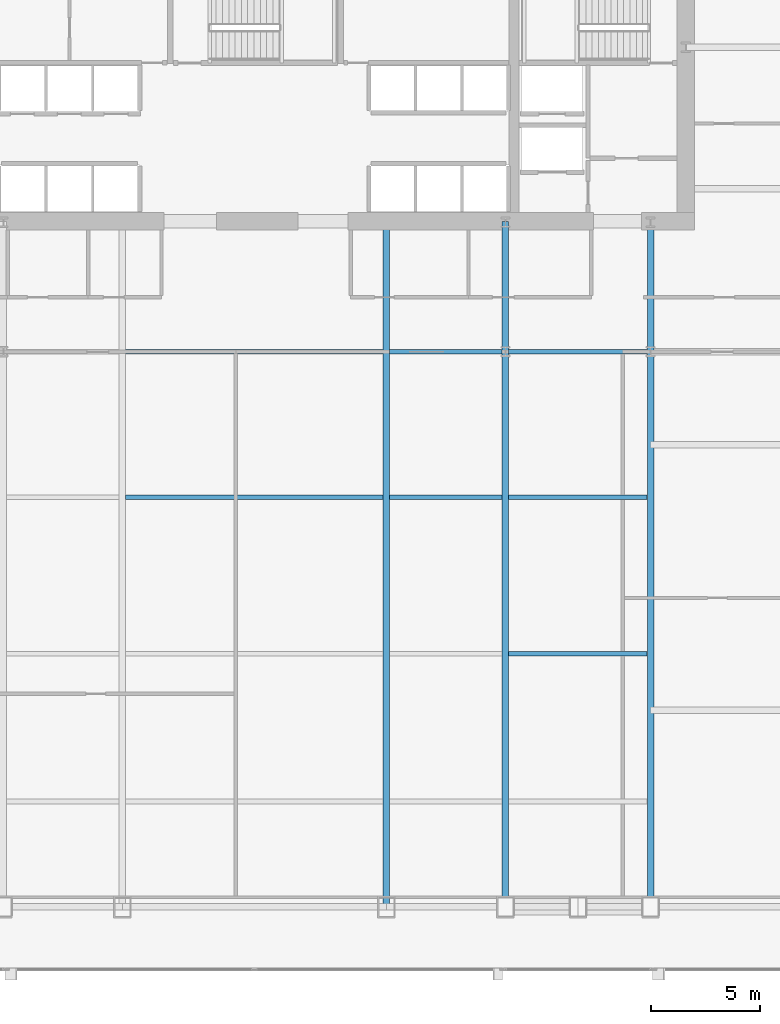
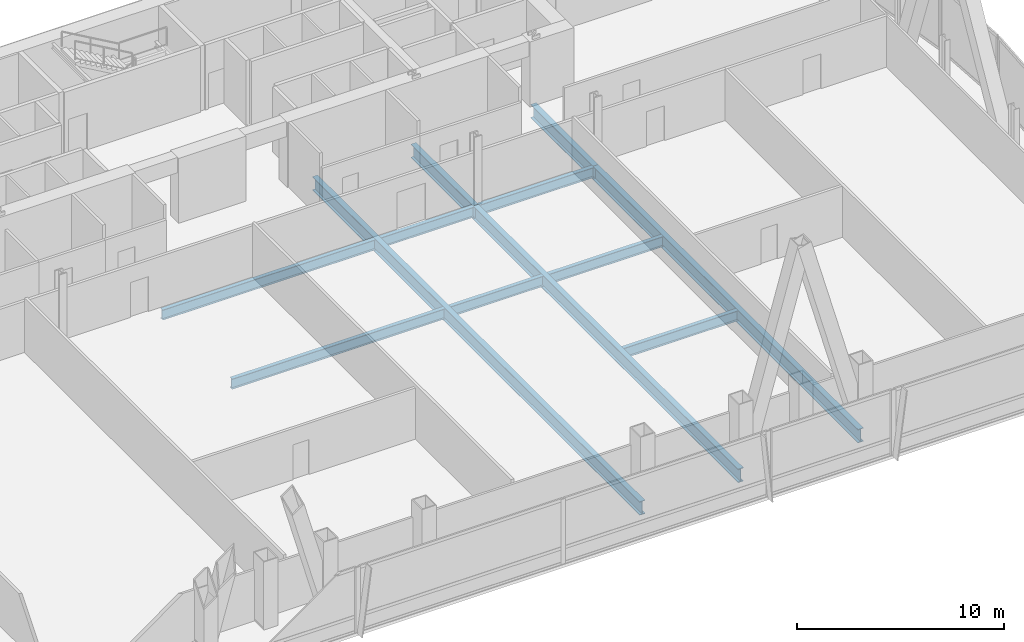
# One storey, part 15 of 36: 12 beams.
"""IFC4 building model written with IfcOpenShell, lengths in metres."""

from ifc_helpers import new_model, si_unit, direction, frame, origin, origin_2d, place, context, subcontext, project, spatial, i_section, extrude, material, material_profile, profile_set, type_object, element, save


model = new_model("IFC4")

# Units and contexts
model_context = context("Model", 3, precision=1e-05, world=origin(), true_north=direction((0.0, 1.0)))
body_context = subcontext(model_context, "Body", "Model", "MODEL_VIEW")
ifc_project = project(units=[si_unit("LENGTHUNIT", "METRE"), si_unit("AREAUNIT", "SQUARE_METRE"), si_unit("VOLUMEUNIT", "CUBIC_METRE"), si_unit("PLANEANGLEUNIT", "RADIAN"), si_unit("MASSUNIT", "GRAM", prefix="KILO")], contexts=[model_context])

# Site, building, storey
site_placement = place(None, origin())
site = spatial("IfcSite", under=ifc_project, at=site_placement, CompositionType="ELEMENT")
building_placement = place(site_placement, origin())
building = spatial("IfcBuilding", under=site, at=building_placement, Name="Khoronbel Lancet Exchange", CompositionType="ELEMENT")
storey_placement = place(building_placement, frame((0.0, 0.0, 49.800048828125)))
storey = spatial("IfcBuildingStorey", under=building, at=storey_placement, Name="L11", CompositionType="ELEMENT", Elevation=49.800048828125)

# Beams
ifc_material = material(Name="Steel S355", Category="steel")
ifc_material_profile_1 = material_profile(ifc_material, i_section(OverallWidth=0.300048828125, OverallDepth=0.800048828125, WebThickness=0.017578125, FlangeThickness=0.032958984375, at=origin_2d()), Name="HEB 800")
ifc_profile_set_1 = profile_set([ifc_material_profile_1], Name="Steel S355")
beam_type_1 = type_object("IfcBeamType", Name="BM-BG2", PredefinedType="BEAM", material=ifc_profile_set_1)
beam_1_placement = place(storey_placement, frame((42.52490234375, 10.14990234375, -0.580078125), z_axis=(0.0, 1.0, 0.0), x_axis=(-1.0, 0.0, 0.0)))
element("IfcBeam", 1, at=beam_1_placement, inside=storey, type_object=beam_type_1, Name="Level L11 primary floor girder G4", PredefinedType="BEAM", context=body_context, shape_type="SweptSolid", body=[
    extrude(i_section(OverallWidth=0.300048828125, OverallDepth=0.800048828125, WebThickness=0.017578125, FlangeThickness=0.032958984375, at=origin_2d()), origin(), (0.0, 0.0, 1.0), 31.550048828125),
])
beam_2_placement = place(storey_placement, frame((48.0, 10.14990234375, -0.580078125), z_axis=(0.0, 1.0, 0.0), x_axis=(-1.0, 0.0, 0.0)))
element("IfcBeam", 2, at=beam_2_placement, inside=storey, type_object=beam_type_1, Name="Level L11 south primary girder GS5", PredefinedType="BEAM", context=body_context, shape_type="SweptSolid", body=[
    extrude(i_section(OverallWidth=0.300048828125, OverallDepth=0.800048828125, WebThickness=0.017578125, FlangeThickness=0.032958984375, at=origin_2d()), origin(), (0.0, 0.0, 1.0), 25.550048828125),
])
beam_3_placement = place(storey_placement, frame((48.0, 35.699951171875, -0.580078125), z_axis=(0.0, 1.0, 0.0), x_axis=(-1.0, 0.0, 0.0)))
element("IfcBeam", 3, at=beam_3_placement, inside=storey, type_object=beam_type_1, Name="Level L11 spine tie girder GN5", PredefinedType="BEAM", context=body_context, shape_type="SweptSolid", body=[
    extrude(i_section(OverallWidth=0.300048828125, OverallDepth=0.800048828125, WebThickness=0.017578125, FlangeThickness=0.032958984375, at=origin_2d()), origin(), (0.0, 0.0, 1.0), 6.0),
])
beam_4_placement = place(storey_placement, frame((54.675048828125, 10.14990234375, -0.580078125), z_axis=(0.0, 1.0, 0.0), x_axis=(-1.0, 0.0, 0.0)))
element("IfcBeam", 4, at=beam_4_placement, inside=storey, type_object=beam_type_1, Name="Level L11 south primary girder GS6", PredefinedType="BEAM", context=body_context, shape_type="SweptSolid", body=[
    extrude(i_section(OverallWidth=0.300048828125, OverallDepth=0.800048828125, WebThickness=0.017578125, FlangeThickness=0.032958984375, at=origin_2d()), origin(), (0.0, 0.0, 1.0), 25.550048828125),
])
beam_5_placement = place(storey_placement, frame((54.675048828125, 35.699951171875, -0.580078125), z_axis=(0.0, 1.0, 0.0), x_axis=(-1.0, 0.0, 0.0)))
element("IfcBeam", 5, at=beam_5_placement, inside=storey, type_object=beam_type_1, Name="Level L11 spine tie girder GN6", PredefinedType="BEAM", context=body_context, shape_type="SweptSolid", body=[
    extrude(i_section(OverallWidth=0.300048828125, OverallDepth=0.800048828125, WebThickness=0.017578125, FlangeThickness=0.032958984375, at=origin_2d()), origin(), (0.0, 0.0, 1.0), 6.0),
])
ifc_material_profile_2 = material_profile(ifc_material, i_section(OverallWidth=0.219970703125, OverallDepth=0.60009765625, WebThickness=0.011962890625, FlangeThickness=0.01904296875, at=origin_2d()), Name="IPE 600")
ifc_profile_set_2 = profile_set([ifc_material_profile_2], Name="Steel S355")
beam_type_2 = type_object("IfcBeamType", Name="BM-BJ1", PredefinedType="JOIST", material=ifc_profile_set_2)
beam_6_placement = place(storey_placement, frame((48.14990234375, 21.800048828125, -0.47998046875), z_axis=(1.0, 0.0, 0.0), x_axis=(0.0, 1.0, 0.0)))
element("IfcBeam", 6, at=beam_6_placement, inside=storey, type_object=beam_type_2, Name="Level L11 secondary composite joist J10", PredefinedType="JOIST", context=body_context, shape_type="SweptSolid", body=[
    extrude(i_section(OverallWidth=0.219970703125, OverallDepth=0.60009765625, WebThickness=0.011962890625, FlangeThickness=0.01904296875, at=origin_2d()), origin(), (0.0, 0.0, 1.0), 6.375),
])
beam_7_placement = place(storey_placement, frame((30.52490234375, 29.0, -0.47998046875), z_axis=(1.0, 0.0, 0.0), x_axis=(0.0, 1.0, 0.0)))
element("IfcBeam", 7, at=beam_7_placement, inside=storey, type_object=beam_type_2, Name="Level L11 secondary composite joist J13", PredefinedType="JOIST", context=body_context, shape_type="SweptSolid", body=[
    extrude(i_section(OverallWidth=0.219970703125, OverallDepth=0.60009765625, WebThickness=0.011962890625, FlangeThickness=0.01904296875, at=origin_2d()), origin(), (0.0, 0.0, 1.0), 11.85009765625),
])
beam_8_placement = place(storey_placement, frame((42.675048828125, 29.0, -0.47998046875), z_axis=(1.0, 0.0, 0.0), x_axis=(0.0, 1.0, 0.0)))
element("IfcBeam", 8, at=beam_8_placement, inside=storey, type_object=beam_type_2, Name="Level L11 secondary composite joist J14", PredefinedType="JOIST", context=body_context, shape_type="SweptSolid", body=[
    extrude(i_section(OverallWidth=0.219970703125, OverallDepth=0.60009765625, WebThickness=0.011962890625, FlangeThickness=0.01904296875, at=origin_2d()), origin(), (0.0, 0.0, 1.0), 5.175048828125),
])
beam_9_placement = place(storey_placement, frame((48.14990234375, 29.0, -0.47998046875), z_axis=(1.0, 0.0, 0.0), x_axis=(0.0, 1.0, 0.0)))
element("IfcBeam", 9, at=beam_9_placement, inside=storey, type_object=beam_type_2, Name="Level L11 secondary composite joist J15", PredefinedType="JOIST", context=body_context, shape_type="SweptSolid", body=[
    extrude(i_section(OverallWidth=0.219970703125, OverallDepth=0.60009765625, WebThickness=0.011962890625, FlangeThickness=0.01904296875, at=origin_2d()), origin(), (0.0, 0.0, 1.0), 6.375),
])
beam_10_placement = place(storey_placement, frame((30.52490234375, 35.699951171875, -0.47998046875), z_axis=(1.0, 0.0, 0.0), x_axis=(0.0, 1.0, 0.0)))
element("IfcBeam", 10, at=beam_10_placement, inside=storey, type_object=beam_type_2, Name="Level L11 secondary composite joist J18", PredefinedType="JOIST", context=body_context, shape_type="SweptSolid", body=[
    extrude(i_section(OverallWidth=0.219970703125, OverallDepth=0.60009765625, WebThickness=0.011962890625, FlangeThickness=0.01904296875, at=origin_2d()), origin(), (0.0, 0.0, 1.0), 11.85009765625),
])
beam_11_placement = place(storey_placement, frame((42.675048828125, 35.699951171875, -0.47998046875), z_axis=(1.0, 0.0, 0.0), x_axis=(0.0, 1.0, 0.0)))
element("IfcBeam", 11, at=beam_11_placement, inside=storey, type_object=beam_type_2, Name="Level L11 secondary composite joist J19", PredefinedType="JOIST", context=body_context, shape_type="SweptSolid", body=[
    extrude(i_section(OverallWidth=0.219970703125, OverallDepth=0.60009765625, WebThickness=0.011962890625, FlangeThickness=0.01904296875, at=origin_2d()), origin(), (0.0, 0.0, 1.0), 5.175048828125),
])
beam_12_placement = place(storey_placement, frame((48.14990234375, 35.699951171875, -0.47998046875), z_axis=(1.0, 0.0, 0.0), x_axis=(0.0, 1.0, 0.0)))
element("IfcBeam", 12, at=beam_12_placement, inside=storey, type_object=beam_type_2, Name="Level L11 secondary composite joist J20", PredefinedType="JOIST", context=body_context, shape_type="SweptSolid", body=[
    extrude(i_section(OverallWidth=0.219970703125, OverallDepth=0.60009765625, WebThickness=0.011962890625, FlangeThickness=0.01904296875, at=origin_2d()), origin(), (0.0, 0.0, 1.0), 6.375),
])

save(model, "model.ifc")
